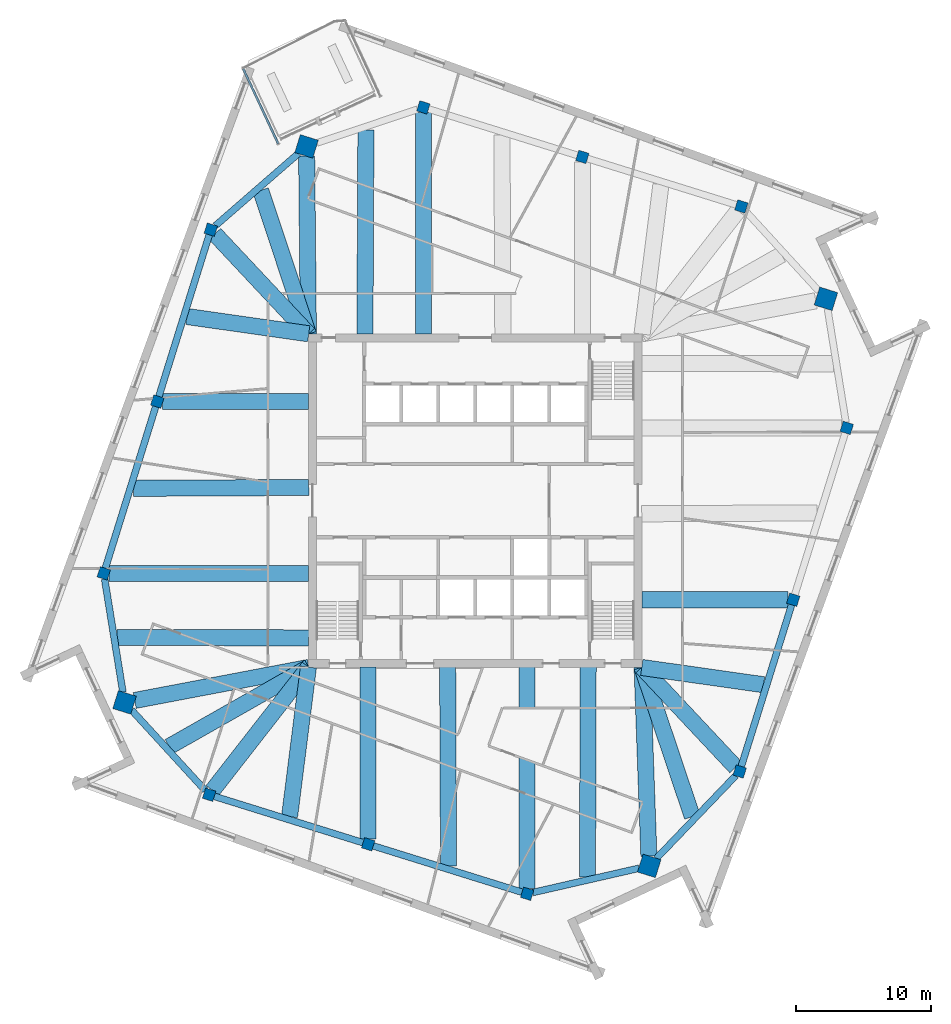
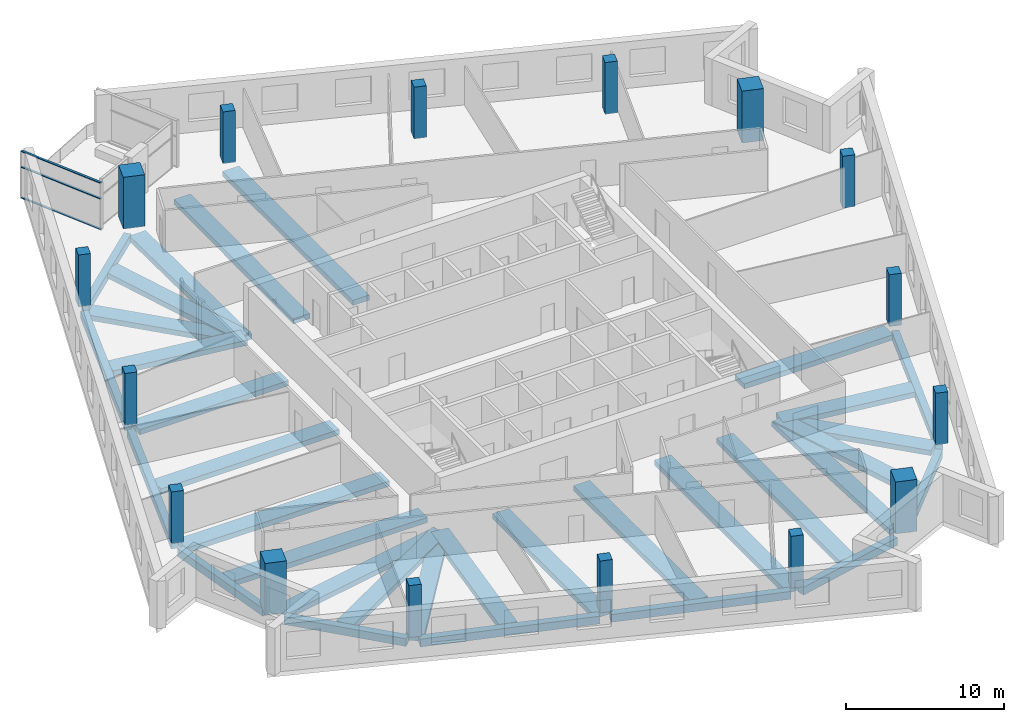
# One storey, part 1 of 13: 33 beams, 16 columns, 3 members, 1 element without a shape of its own.
"""IFC4 building model written with IfcOpenShell, lengths in metres."""

from ifc_helpers import new_model, si_unit, direction, frame, origin, origin_2d, place, context, subcontext, project, spatial, rectangle, extrude, material, material_profile, profile_set, type_object, element, aggregate, save


model = new_model("IFC4")

# Units and contexts
model_context = context("Model", 3, precision=1e-05, world=origin(), true_north=direction((0.0, 1.0)))
body_context = subcontext(model_context, "Body", "Model", "MODEL_VIEW")
ifc_project = project(units=[si_unit("LENGTHUNIT", "METRE"), si_unit("AREAUNIT", "SQUARE_METRE"), si_unit("VOLUMEUNIT", "CUBIC_METRE"), si_unit("PLANEANGLEUNIT", "RADIAN"), si_unit("MASSUNIT", "GRAM", prefix="KILO")], contexts=[model_context])

# Site, building, storey
site_placement = place(None, origin())
site = spatial("IfcSite", under=ifc_project, at=site_placement, CompositionType="ELEMENT")
building_placement = place(site_placement, origin())
building = spatial("IfcBuilding", under=site, at=building_placement, Name="Dilmun Exchange Tower", CompositionType="ELEMENT")
storey_placement = place(building_placement, frame((0.0, 0.0, 312.5)))
storey = spatial("IfcBuildingStorey", under=building, at=storey_placement, Name="L74", CompositionType="ELEMENT", Elevation=312.5)

# Columns
ifc_material_1 = material(Name="Concrete C50/60", Category="concrete")
ifc_material_profile_1 = material_profile(ifc_material_1, rectangle(XDim=1.39990234375, YDim=1.39990234375, at=origin_2d()), Name="1400 x 1400")
ifc_profile_set_1 = profile_set([ifc_material_profile_1], Name="Concrete C50/60")
column_type_1 = type_object("IfcColumnType", Name="RC mega column 1400 x 1400 C50/60", PredefinedType="COLUMN", material=ifc_profile_set_1)
for number, where, z_axis, x_axis, name in (
    (1, (-12.537109375, 26.322021484375, 0.0), (0.0, 0.0, 1.0), (0.297503182032, 0.954720826567, 0.0), "Mega column M1"),
    (2, (-26.06005859375, -14.9951171875, 0.0), (0.0, 0.0, 1.0), (0.297503182032, 0.954720826567, 0.0), "Mega column M2"),
    (3, (12.928955078125, -27.14404296875, 0.0), (0.0, 0.0, 1.0), (0.297503182032, 0.954720826567, 0.0), "Mega column M3"),
    (4, (26.06005859375, 14.9951171875, 0.0), (0.0, 0.0, 1.0), (0.297503182032, 0.954720826567, 0.0), "Mega column M4"),
):
    element("IfcColumn", number, at=place(storey_placement, frame(where, z_axis=z_axis, x_axis=x_axis)), inside=storey, type_object=column_type_1, Name=name, PredefinedType="COLUMN", context=body_context, shape_type="SweptSolid", body=[
        extrude(rectangle(XDim=1.39990234375, YDim=1.39990234375, at=origin_2d()), origin(), (0.0, 0.0, 1.0), 4.0),
    ])
ifc_material_profile_2 = material_profile(ifc_material_1, rectangle(XDim=0.800048828125, YDim=0.800048828125, at=origin_2d()), Name="800 x 800")
ifc_profile_set_2 = profile_set([ifc_material_profile_2], Name="Concrete C50/60")
column_type_2 = type_object("IfcColumnType", Name="RC ring column 800 x 800 C50/60", PredefinedType="COLUMN", material=ifc_profile_set_2)
for number, where, z_axis, x_axis, name in (
    (5, (-19.64990234375, 20.133056640625, 0.0), (0.0, 0.0, 1.0), (0.297503182032, 0.954720826567, 0.0), "Ring column R01"),
    (6, (-23.62890625, 7.363037109375, 0.0), (0.0, 0.0, 1.0), (0.297503182032, 0.954720826567, 0.0), "Ring column R02"),
    (7, (-27.60791015625, -5.406005859375, 0.0), (0.0, 0.0, 1.0), (0.297503182032, 0.954720826567, 0.0), "Ring column R03"),
    (8, (-19.77294921875, -21.85693359375, 0.0), (0.0, 0.0, 1.0), (0.297503182032, 0.954720826567, 0.0), "Ring column R04"),
    (9, (-7.9580078125, -25.5390625, 0.0), (0.0, 0.0, 1.0), (0.297503182032, 0.954720826567, 0.0), "Ring column R05"),
    (10, (3.85595703125, -29.219970703125, 0.0), (0.0, 0.0, 1.0), (0.297503182032, 0.954720826567, 0.0), "Ring column R06"),
    (11, (19.64990234375, -20.133056640625, 0.0), (0.0, 0.0, 1.0), (0.297503182032, 0.954720826567, 0.0), "Ring column R07"),
    (12, (23.62890625, -7.363037109375, 0.0), (0.0, 0.0, 1.0), (0.297503182032, 0.954720826567, 0.0), "Ring column R08"),
    (13, (27.60791015625, 5.406005859375, 0.0), (0.0, 0.0, 1.0), (0.297503182032, 0.954720826567, 0.0), "Ring column R09"),
    (14, (19.77294921875, 21.85693359375, 0.0), (0.0, 0.0, 1.0), (0.297503182032, 0.954720826567, 0.0), "Ring column R10"),
    (15, (7.9580078125, 25.5390625, 0.0), (0.0, 0.0, 1.0), (0.297503182032, 0.954720826567, 0.0), "Ring column R11"),
    (16, (-3.85595703125, 29.219970703125, 0.0), (0.0, 0.0, 1.0), (0.297503182032, 0.954720826567, 0.0), "Ring column R12"),
):
    element("IfcColumn", number, at=place(storey_placement, frame(where, z_axis=z_axis, x_axis=x_axis)), inside=storey, type_object=column_type_2, Name=name, PredefinedType="COLUMN", context=body_context, shape_type="SweptSolid", body=[
        extrude(rectangle(XDim=0.800048828125, YDim=0.800048828125, at=origin_2d()), origin(), (0.0, 0.0, 1.0), 4.0),
    ])

# Curtain wall, members
ifc_material_2 = material(Name="Anodised aluminium and clear glass", Category="aluminium")
curtain_wall_type = type_object("IfcCurtainWallType", Name="Garden corner glazing", PredefinedType="NOTDEFINED", material=ifc_material_2)
curtain_wall_placement = place(storey_placement, origin())
curtain_wall = element("IfcCurtainWall", 17, at=curtain_wall_placement, inside=storey, type_object=curtain_wall_type, Name="Garden corner glazing run GC3.1", PredefinedType="NOTDEFINED")
ifc_material_3 = material(Name="Anodised aluminium", Category="aluminium")
ifc_material_profile_3 = material_profile(ifc_material_3, rectangle(XDim=0.159912109375, YDim=0.06005859375, at=origin_2d()), Name="AL 60x160")
ifc_profile_set_3 = profile_set([ifc_material_profile_3], Name="Anodised aluminium")
member_type = type_object("IfcMemberType", Name="Garden corner glazing transom 60 x 160", PredefinedType="USERDEFINED", material=ifc_profile_set_3)
member_1_placement = place(storey_placement, frame((-14.649658203125, 26.5234375, 0.030029296875), z_axis=(-0.422610567282, 0.906311374982, 0.0), x_axis=(-0.906311374982, -0.422610567282, 0.0)))
member_1 = element("IfcMember", 18, at=member_1_placement, type_object=member_type, Name="GC3.1 transom 1.1", ObjectType="TRANSOM", PredefinedType="USERDEFINED", context=body_context, shape_type="SweptSolid", body=[
    extrude(rectangle(XDim=0.159912109375, YDim=0.06005859375, at=origin_2d()), origin(), (0.0, 0.0, 1.0), 6.12646484375),
])
member_2_placement = place(storey_placement, frame((-14.649658203125, 26.5234375, 2.39990234375), z_axis=(-0.422610567282, 0.906311374982, 0.0), x_axis=(-0.906311374982, -0.422610567282, 0.0)))
member_2 = element("IfcMember", 19, at=member_2_placement, type_object=member_type, Name="GC3.1 transom 1.2", ObjectType="TRANSOM", PredefinedType="USERDEFINED", context=body_context, shape_type="SweptSolid", body=[
    extrude(rectangle(XDim=0.159912109375, YDim=0.06005859375, at=origin_2d()), origin(), (0.0, 0.0, 1.0), 6.12646484375),
])
member_3_placement = place(storey_placement, frame((-14.649658203125, 26.5234375, 3.6201171875), z_axis=(-0.422610567282, 0.906311374982, 0.0), x_axis=(-0.906311374982, -0.422610567282, 0.0)))
member_3 = element("IfcMember", 20, at=member_3_placement, type_object=member_type, Name="GC3.1 transom 1.3", ObjectType="TRANSOM", PredefinedType="USERDEFINED", context=body_context, shape_type="SweptSolid", body=[
    extrude(rectangle(XDim=0.159912109375, YDim=0.06005859375, at=origin_2d()), origin(), (0.0, 0.0, 1.0), 6.12646484375),
])
aggregate(curtain_wall, [member_1, member_2, member_3])

# Beams
ifc_material_4 = material(Name="Concrete C40/50", Category="concrete")
ifc_material_profile_4 = material_profile(ifc_material_4, rectangle(XDim=1.199951171875, YDim=0.39990234375, at=origin_2d()), Name="1200 x 400")
ifc_profile_set_4 = profile_set([ifc_material_profile_4], Name="Concrete C40/50")
beam_type_1 = type_object("IfcBeamType", Name="RC band beam 1200 x 400 C40/50", PredefinedType="BEAM", material=ifc_profile_set_4)
beam_1_placement = place(storey_placement, frame((-12.530029296875, 25.613525390625, -0.64990234375), z_axis=(0.009845926203, -0.999951527694, 0.0), x_axis=(0.999951527694, 0.009845926203, 0.0)))
element("IfcBeam", 21, at=beam_1_placement, inside=storey, type_object=beam_type_1, Name="Band beam 1", PredefinedType="BEAM", context=body_context, shape_type="SweptSolid", body=[
    extrude(rectangle(XDim=1.199951171875, YDim=0.39990234375, at=origin_2d()), origin(), (0.0, 0.0, 1.0), 13.2412109375),
])
beam_2_placement = place(storey_placement, frame((-19.35400390625, 19.8173828125, -0.64990234375), z_axis=(0.683952281649, -0.729526748261, 0.0), x_axis=(0.729526748261, 0.683952281649, 0.0)))
element("IfcBeam", 22, at=beam_2_placement, inside=storey, type_object=beam_type_1, Name="Band beam 2", PredefinedType="BEAM", context=body_context, shape_type="SweptSolid", body=[
    extrude(rectangle(XDim=1.199951171875, YDim=0.39990234375, at=origin_2d()), origin(), (0.0, 0.0, 1.0), 10.1943359375),
])
beam_3_placement = place(storey_placement, frame((-23.237060546875, 7.363037109375, -0.64990234375), z_axis=(1.0, 0.0, 0.0), x_axis=(0.0, 1.0, 0.0)))
element("IfcBeam", 23, at=beam_3_placement, inside=storey, type_object=beam_type_1, Name="Band beam 3", PredefinedType="BEAM", context=body_context, shape_type="SweptSolid", body=[
    extrude(rectangle(XDim=1.199951171875, YDim=0.39990234375, at=origin_2d()), origin(), (0.0, 0.0, 1.0), 10.864013671875),
])
beam_4_placement = place(storey_placement, frame((-27.216064453125, -5.406005859375, -0.64990234375), z_axis=(1.0, 0.0, 0.0), x_axis=(0.0, 1.0, 0.0)))
element("IfcBeam", 24, at=beam_4_placement, inside=storey, type_object=beam_type_1, Name="Band beam 4", PredefinedType="BEAM", context=body_context, shape_type="SweptSolid", body=[
    extrude(rectangle(XDim=1.199951171875, YDim=0.39990234375, at=origin_2d()), origin(), (0.0, 0.0, 1.0), 14.843017578125),
])
beam_5_placement = place(storey_placement, frame((-25.30712890625, -14.85205078125, -0.64990234375), z_axis=(0.982429348436, 0.18663487169, 0.0), x_axis=(-0.18663487169, 0.982429348436, 0.0)))
element("IfcBeam", 25, at=beam_5_placement, inside=storey, type_object=beam_type_1, Name="Band beam 5", PredefinedType="BEAM", context=body_context, shape_type="SweptSolid", body=[
    extrude(rectangle(XDim=1.199951171875, YDim=0.39990234375, at=origin_2d()), origin(), (0.0, 0.0, 1.0), 13.164794921875),
])
beam_6_placement = place(storey_placement, frame((-19.52685546875, -21.541259765625, -0.64990234375), z_axis=(0.614856714099, 0.788638840743, 0.0), x_axis=(-0.788638840743, 0.614856714099, 0.0)))
element("IfcBeam", 26, at=beam_6_placement, inside=storey, type_object=beam_type_1, Name="Band beam 6", PredefinedType="BEAM", context=body_context, shape_type="SweptSolid", body=[
    extrude(rectangle(XDim=1.199951171875, YDim=0.39990234375, at=origin_2d()), origin(), (0.0, 0.0, 1.0), 11.6181640625),
])
beam_7_placement = place(storey_placement, frame((-7.9580078125, -25.14697265625, -0.64990234375), z_axis=(0.0, 1.0, 0.0), x_axis=(-1.0, 0.0, 0.0)))
element("IfcBeam", 27, at=beam_7_placement, inside=storey, type_object=beam_type_1, Name="Band beam 7", PredefinedType="BEAM", context=body_context, shape_type="SweptSolid", body=[
    extrude(rectangle(XDim=1.199951171875, YDim=0.39990234375, at=origin_2d()), origin(), (0.0, 0.0, 1.0), 12.77392578125),
])
beam_8_placement = place(storey_placement, frame((3.85595703125, -28.827880859375, -0.64990234375), z_axis=(0.0, 1.0, 0.0), x_axis=(-1.0, 0.0, 0.0)))
element("IfcBeam", 28, at=beam_8_placement, inside=storey, type_object=beam_type_1, Name="Band beam 8", PredefinedType="BEAM", context=body_context, shape_type="SweptSolid", body=[
    extrude(rectangle(XDim=1.199951171875, YDim=0.39990234375, at=origin_2d()), origin(), (0.0, 0.0, 1.0), 16.454833984375),
])
beam_9_placement = place(storey_placement, frame((12.9033203125, -26.429443359375, -0.64990234375), z_axis=(-0.035860549827, 0.999356803632, 0.0), x_axis=(-0.999356803632, -0.035860549827, 0.0)))
element("IfcBeam", 29, at=beam_9_placement, inside=storey, type_object=beam_type_1, Name="Band beam 9", PredefinedType="BEAM", context=body_context, shape_type="SweptSolid", body=[
    extrude(rectangle(XDim=1.199951171875, YDim=0.39990234375, at=origin_2d()), origin(), (0.0, 0.0, 1.0), 14.0654296875),
])
beam_10_placement = place(storey_placement, frame((19.35400390625, -19.8173828125, -0.64990234375), z_axis=(-0.683952281649, 0.729526748261, 0.0), x_axis=(-0.729526748261, -0.683952281649, 0.0)))
element("IfcBeam", 30, at=beam_10_placement, inside=storey, type_object=beam_type_1, Name="Band beam 10", PredefinedType="BEAM", context=body_context, shape_type="SweptSolid", body=[
    extrude(rectangle(XDim=1.199951171875, YDim=0.39990234375, at=origin_2d()), origin(), (0.0, 0.0, 1.0), 10.1943359375),
])
beam_11_placement = place(storey_placement, frame((23.237060546875, -7.363037109375, -0.64990234375), z_axis=(-1.0, 0.0, 0.0), x_axis=(0.0, -1.0, 0.0)))
element("IfcBeam", 31, at=beam_11_placement, inside=storey, type_object=beam_type_1, Name="Band beam 11", PredefinedType="BEAM", context=body_context, shape_type="SweptSolid", body=[
    extrude(rectangle(XDim=1.199951171875, YDim=0.39990234375, at=origin_2d()), origin(), (0.0, 0.0, 1.0), 10.864013671875),
])
beam_12_placement = place(storey_placement, frame((-3.85595703125, 28.827880859375, -0.64990234375), z_axis=(0.0, -1.0, 0.0), x_axis=(1.0, 0.0, 0.0)))
element("IfcBeam", 32, at=beam_12_placement, inside=storey, type_object=beam_type_1, Name="Band beam 16", PredefinedType="BEAM", context=body_context, shape_type="SweptSolid", body=[
    extrude(rectangle(XDim=1.199951171875, YDim=0.39990234375, at=origin_2d()), origin(), (0.0, 0.0, 1.0), 16.454833984375),
])
beam_13_placement = place(storey_placement, frame((-15.947021484375, 23.059326171875, -0.550048828125), z_axis=(0.315752926282, -0.948841445946, 0.0), x_axis=(0.948841445946, 0.315752926282, 0.0)))
element("IfcBeam", 33, at=beam_13_placement, inside=storey, type_object=beam_type_1, Name="Band beam 17", PredefinedType="BEAM", context=body_context, shape_type="SweptSolid", body=[
    extrude(rectangle(XDim=1.199951171875, YDim=0.39990234375, at=origin_2d()), origin(), (0.0, 0.0, 1.0), 11.260986328125),
])
beam_14_placement = place(storey_placement, frame((-21.426513671875, 13.681640625, -0.550048828125), z_axis=(0.990066629404, -0.140598966357, 0.0), x_axis=(0.140598966357, 0.990066629404, 0.0)))
element("IfcBeam", 34, at=beam_14_placement, inside=storey, type_object=beam_type_1, Name="Band beam 18", PredefinedType="BEAM", context=body_context, shape_type="SweptSolid", body=[
    extrude(rectangle(XDim=1.199951171875, YDim=0.39990234375, at=origin_2d()), origin(), (0.0, 0.0, 1.0), 9.14404296875),
])
beam_15_placement = place(storey_placement, frame((-25.405517578125, 0.912109375, -0.550048828125), z_axis=(0.999987018468, 0.005095379798, 0.0), x_axis=(-0.005095379798, 0.999987018468, 0.0)))
element("IfcBeam", 35, at=beam_15_placement, inside=storey, type_object=beam_type_1, Name="Band beam 19", PredefinedType="BEAM", context=body_context, shape_type="SweptSolid", body=[
    extrude(rectangle(XDim=1.199951171875, YDim=0.39990234375, at=origin_2d()), origin(), (0.0, 0.0, 1.0), 13.03271484375),
])
beam_16_placement = place(storey_placement, frame((-26.614013671875, -10.1650390625, -0.550048828125), z_axis=(0.999996910379, -0.002485806038, 0.0), x_axis=(0.002485806038, 0.999996910379, 0.0)))
element("IfcBeam", 36, at=beam_16_placement, inside=storey, type_object=beam_type_1, Name="Band beam 20", PredefinedType="BEAM", context=body_context, shape_type="SweptSolid", body=[
    extrude(rectangle(XDim=1.199951171875, YDim=0.39990234375, at=origin_2d()), origin(), (0.0, 0.0, 1.0), 14.240966796875),
])
beam_17_placement = place(storey_placement, frame((-22.752197265625, -18.275390625, -0.550048828125), z_axis=(0.869690188955, 0.493597989496, 0.0), x_axis=(-0.493597989496, 0.869690188955, 0.0)))
element("IfcBeam", 37, at=beam_17_placement, inside=storey, type_object=beam_type_1, Name="Band beam 21", PredefinedType="BEAM", context=body_context, shape_type="SweptSolid", body=[
    extrude(rectangle(XDim=1.199951171875, YDim=0.39990234375, at=origin_2d()), origin(), (0.0, 0.0, 1.0), 11.93017578125),
])
beam_18_placement = place(storey_placement, frame((-13.79931640625, -23.485107421875, -0.550048828125), z_axis=(0.125252659456, 0.992124876867, 0.0), x_axis=(-0.992124876867, 0.125252659456, 0.0)))
element("IfcBeam", 38, at=beam_18_placement, inside=storey, type_object=beam_type_1, Name="Band beam 22", PredefinedType="BEAM", context=body_context, shape_type="SweptSolid", body=[
    extrude(rectangle(XDim=1.199951171875, YDim=0.39990234375, at=origin_2d()), origin(), (0.0, 0.0, 1.0), 11.199951171875),
])
beam_19_placement = place(storey_placement, frame((-1.984619140625, -27.16650390625, -0.550048828125), z_axis=(-0.004488848064, 0.999989925071, 0.0), x_axis=(-0.999989925071, -0.004488848064, 0.0)))
element("IfcBeam", 39, at=beam_19_placement, inside=storey, type_object=beam_type_1, Name="Band beam 23", PredefinedType="BEAM", context=body_context, shape_type="SweptSolid", body=[
    extrude(rectangle(XDim=1.199951171875, YDim=0.39990234375, at=origin_2d()), origin(), (0.0, 0.0, 1.0), 14.793701171875),
])
beam_20_placement = place(storey_placement, frame((8.3427734375, -27.964599609375, -0.550048828125), z_axis=(0.003194321582, 0.999994898142, 0.0), x_axis=(-0.999994898142, 0.003194321582, 0.0)))
element("IfcBeam", 40, at=beam_20_placement, inside=storey, type_object=beam_type_1, Name="Band beam 24", PredefinedType="BEAM", context=body_context, shape_type="SweptSolid", body=[
    extrude(rectangle(XDim=1.199951171875, YDim=0.39990234375, at=origin_2d()), origin(), (0.0, 0.0, 1.0), 15.591552734375),
])
beam_21_placement = place(storey_placement, frame((16.12841796875, -23.484130859375, -0.550048828125), z_axis=(-0.318844720982, 0.947806965527, 0.0), x_axis=(-0.947806965527, -0.318844720982, 0.0)))
element("IfcBeam", 41, at=beam_21_placement, inside=storey, type_object=beam_type_1, Name="Band beam 25", PredefinedType="BEAM", context=body_context, shape_type="SweptSolid", body=[
    extrude(rectangle(XDim=1.199951171875, YDim=0.39990234375, at=origin_2d()), origin(), (0.0, 0.0, 1.0), 11.721435546875),
])
beam_22_placement = place(storey_placement, frame((21.426513671875, -13.681640625, -0.550048828125), z_axis=(-0.990066629404, 0.140598966357, 0.0), x_axis=(-0.140598966357, -0.990066629404, 0.0)))
element("IfcBeam", 42, at=beam_22_placement, inside=storey, type_object=beam_type_1, Name="Band beam 26", PredefinedType="BEAM", context=body_context, shape_type="SweptSolid", body=[
    extrude(rectangle(XDim=1.199951171875, YDim=0.39990234375, at=origin_2d()), origin(), (0.0, 0.0, 1.0), 9.14404296875),
])
beam_23_placement = place(storey_placement, frame((-8.1259765625, 27.5595703125, -0.550048828125), z_axis=(-0.00464595333, -0.999989207501, 0.0), x_axis=(0.999989207501, -0.00464595333, 0.0)))
element("IfcBeam", 43, at=beam_23_placement, inside=storey, type_object=beam_type_1, Name="Band beam 32", PredefinedType="BEAM", context=body_context, shape_type="SweptSolid", body=[
    extrude(rectangle(XDim=1.199951171875, YDim=0.39990234375, at=origin_2d()), origin(), (0.0, 0.0, 1.0), 15.186767578125),
])
ifc_material_profile_5 = material_profile(ifc_material_4, rectangle(XDim=0.5, YDim=0.60009765625, at=origin_2d()), Name="500 x 600")
ifc_profile_set_5 = profile_set([ifc_material_profile_5], Name="Concrete C40/50")
beam_type_2 = type_object("IfcBeamType", Name="RC ring beam 500 x 600 C40/50", PredefinedType="SPANDREL", material=ifc_profile_set_5)
beam_24_placement = place(storey_placement, frame((-13.13720703125, 25.7998046875, -0.64990234375), z_axis=(-0.754412964807, -0.656400090289, 0.0), x_axis=(0.656400090289, -0.754412964807, 0.0)))
element("IfcBeam", 44, at=beam_24_placement, inside=storey, type_object=beam_type_2, Name="Ring beam 1", PredefinedType="SPANDREL", context=body_context, shape_type="SweptSolid", body=[
    extrude(rectangle(XDim=0.5, YDim=0.60009765625, at=origin_2d()), origin(), (0.0, 0.0, 1.0), 8.190185546875),
])
beam_25_placement = place(storey_placement, frame((-19.760986328125, 19.77685546875, -0.64990234375), z_axis=(-0.297481296371, -0.954727646143, 0.0), x_axis=(0.954727646143, -0.297481296371, 0.0)))
element("IfcBeam", 45, at=beam_25_placement, inside=storey, type_object=beam_type_2, Name="Ring beam 2", PredefinedType="SPANDREL", context=body_context, shape_type="SweptSolid", body=[
    extrude(rectangle(XDim=0.5, YDim=0.60009765625, at=origin_2d()), origin(), (0.0, 0.0, 1.0), 12.629638671875),
])
beam_26_placement = place(storey_placement, frame((-23.739990234375, 7.0068359375, -0.64990234375), z_axis=(-0.297508749799, -0.954719091562, 0.0), x_axis=(0.954719091562, -0.297508749799, 0.0)))
element("IfcBeam", 46, at=beam_26_placement, inside=storey, type_object=beam_type_2, Name="Ring beam 3", PredefinedType="SPANDREL", context=body_context, shape_type="SweptSolid", body=[
    extrude(rectangle(XDim=0.5, YDim=0.60009765625, at=origin_2d()), origin(), (0.0, 0.0, 1.0), 12.62841796875),
])
beam_27_placement = place(storey_placement, frame((-27.541015625, -5.820556640625, -0.64990234375), z_axis=(0.159356501233, -0.987221102649, 0.0), x_axis=(0.987221102649, 0.159356501233, 0.0)))
element("IfcBeam", 47, at=beam_27_placement, inside=storey, type_object=beam_type_2, Name="Ring beam 4", PredefinedType="SPANDREL", context=body_context, shape_type="SweptSolid", body=[
    extrude(rectangle(XDim=0.5, YDim=0.60009765625, at=origin_2d()), origin(), (0.0, 0.0, 1.0), 8.5380859375),
])
beam_28_placement = place(storey_placement, frame((-25.531005859375, -15.572265625, -0.64990234375), z_axis=(0.675535971399, -0.737327031476, 0.0), x_axis=(0.737327031476, 0.675535971399, 0.0)))
element("IfcBeam", 48, at=beam_28_placement, inside=storey, type_object=beam_type_2, Name="Ring beam 5", PredefinedType="SPANDREL", context=body_context, shape_type="SweptSolid", body=[
    extrude(rectangle(XDim=0.5, YDim=0.60009765625, at=origin_2d()), origin(), (0.0, 0.0, 1.0), 8.087890625),
])
beam_29_placement = place(storey_placement, frame((-19.4169921875, -21.968017578125, -0.64990234375), z_axis=(0.95471613385, -0.297518241065, 0.0), x_axis=(0.297518241065, 0.95471613385, 0.0)))
element("IfcBeam", 49, at=beam_29_placement, inside=storey, type_object=beam_type_2, Name="Ring beam 6", PredefinedType="SPANDREL", context=body_context, shape_type="SweptSolid", body=[
    extrude(rectangle(XDim=0.5, YDim=0.60009765625, at=origin_2d()), origin(), (0.0, 0.0, 1.0), 11.62939453125),
])
beam_30_placement = place(storey_placement, frame((-7.601806640625, -25.64990234375, -0.64990234375), z_axis=(0.954732553331, -0.297465546931, 0.0), x_axis=(0.297465546931, 0.954732553331, 0.0)))
element("IfcBeam", 50, at=beam_30_placement, inside=storey, type_object=beam_type_2, Name="Ring beam 7", PredefinedType="SPANDREL", context=body_context, shape_type="SweptSolid", body=[
    extrude(rectangle(XDim=0.5, YDim=0.60009765625, at=origin_2d()), origin(), (0.0, 0.0, 1.0), 11.628173828125),
])
beam_31_placement = place(storey_placement, frame((4.28076171875, -29.122802734375, -0.64990234375), z_axis=(0.974807153913, 0.223049350324, 0.0), x_axis=(-0.223049350324, 0.974807153913, 0.0)))
element("IfcBeam", 51, at=beam_31_placement, inside=storey, type_object=beam_type_2, Name="Ring beam 8", PredefinedType="SPANDREL", context=body_context, shape_type="SweptSolid", body=[
    extrude(rectangle(XDim=0.5, YDim=0.60009765625, at=origin_2d()), origin(), (0.0, 0.0, 1.0), 8.0888671875),
])
beam_32_placement = place(storey_placement, frame((13.451416015625, -26.598876953125, -0.64990234375), z_axis=(0.692021502551, 0.721876887016, 0.0), x_axis=(-0.721876887016, 0.692021502551, 0.0)))
element("IfcBeam", 52, at=beam_32_placement, inside=storey, type_object=beam_type_2, Name="Ring beam 9", PredefinedType="SPANDREL", context=body_context, shape_type="SweptSolid", body=[
    extrude(rectangle(XDim=0.5, YDim=0.60009765625, at=origin_2d()), origin(), (0.0, 0.0, 1.0), 8.537353515625),
])
beam_33_placement = place(storey_placement, frame((19.760986328125, -19.77685546875, -0.64990234375), z_axis=(0.297481296371, 0.954727646143, 0.0), x_axis=(-0.954727646143, 0.297481296371, 0.0)))
element("IfcBeam", 53, at=beam_33_placement, inside=storey, type_object=beam_type_2, Name="Ring beam 10", PredefinedType="SPANDREL", context=body_context, shape_type="SweptSolid", body=[
    extrude(rectangle(XDim=0.5, YDim=0.60009765625, at=origin_2d()), origin(), (0.0, 0.0, 1.0), 12.629638671875),
])

save(model, "model.ifc")
